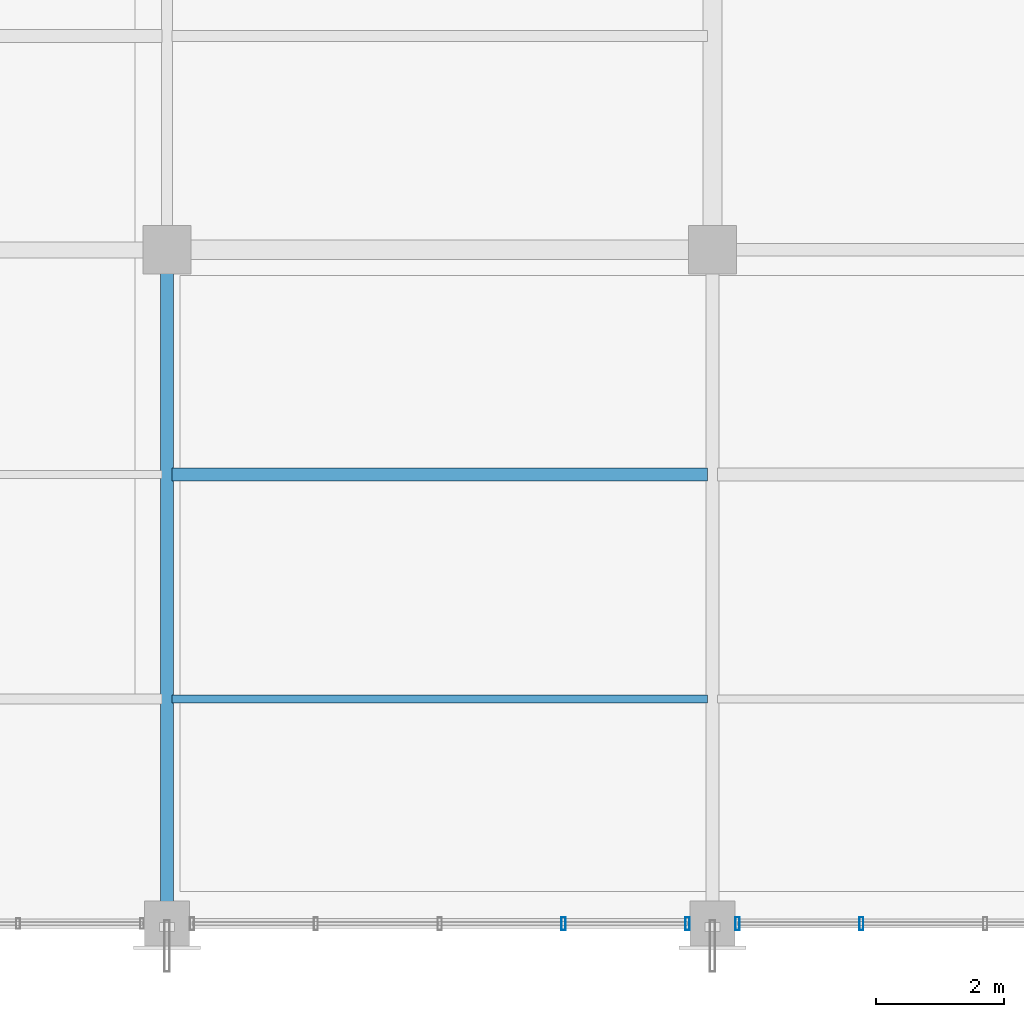
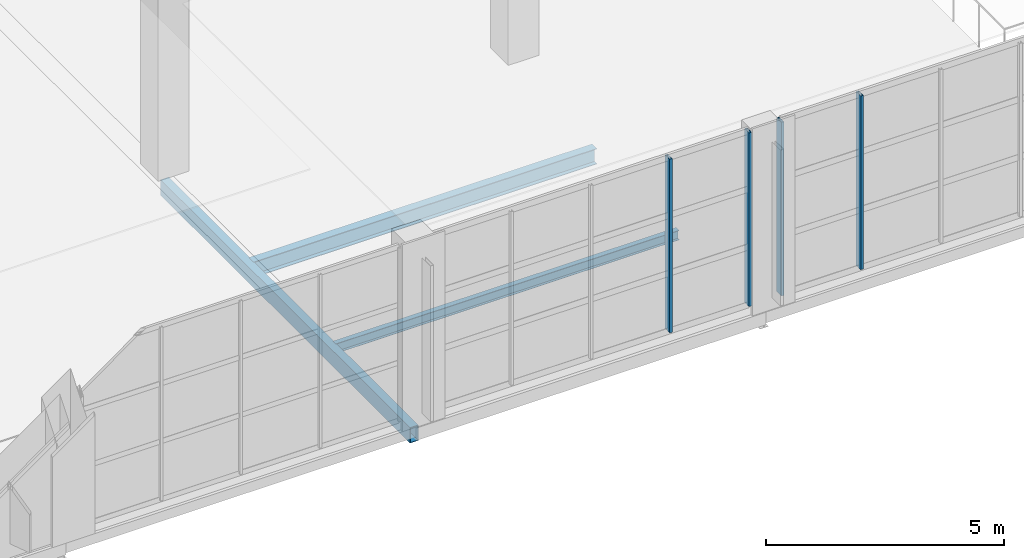
# One storey, part 11 of 101: 4 members, 3 beams, 2 elements without a shape of their own.
"""IFC4 building model written with IfcOpenShell, lengths in metres."""

from ifc_helpers import new_model, si_unit, direction, frame, origin, origin_2d, place, context, subcontext, project, spatial, hollow_rectangle, i_section, extrude, material, material_profile, profile_set, type_object, element, aggregate, save


model = new_model("IFC4")

# Units and contexts
model_context = context("Model", 3, precision=1e-05, world=origin(), true_north=direction((0.0, 1.0)))
body_context = subcontext(model_context, "Body", "Model", "MODEL_VIEW")
ifc_project = project(units=[si_unit("LENGTHUNIT", "METRE"), si_unit("AREAUNIT", "SQUARE_METRE"), si_unit("VOLUMEUNIT", "CUBIC_METRE"), si_unit("PLANEANGLEUNIT", "RADIAN"), si_unit("MASSUNIT", "GRAM", prefix="KILO")], contexts=[model_context])

# Site, building, storey
site_placement = place(None, origin())
site = spatial("IfcSite", under=ifc_project, at=site_placement, CompositionType="ELEMENT")
building_placement = place(site_placement, origin())
building = spatial("IfcBuilding", under=site, at=building_placement, Name="Solvikara Media Centre", CompositionType="ELEMENT")
storey_placement = place(building_placement, frame((0.0, 0.0, 10.199951171875)))
storey = spatial("IfcBuildingStorey", under=building, at=storey_placement, Name="L02", CompositionType="ELEMENT", Elevation=10.199951171875)

# Beams
ifc_material_1 = material(Name="Steel S355JR", Category="steel")
ifc_material_profile_1 = material_profile(ifc_material_1, i_section(OverallWidth=0.199951171875, OverallDepth=0.39990234375, WebThickness=0.008056640625, FlangeThickness=0.012939453125, at=origin_2d()), Name="WF 400x200x8x13")
ifc_profile_set_1 = profile_set([ifc_material_profile_1], Name="Steel S355JR")
beam_type_1 = type_object("IfcBeamType", Name="BM-21", PredefinedType="JOIST", material=ifc_profile_set_1)
beam_1_placement = place(storey_placement, frame((34.077880859375, 7.0, -0.48193359375), z_axis=(1.0, 0.0, 0.0), x_axis=(0.0, 1.0, 0.0)))
element("IfcBeam", 1, at=beam_1_placement, inside=storey, type_object=beam_type_1, Name="J-L02-1097", PredefinedType="JOIST", context=body_context, shape_type="SweptSolid", body=[
    extrude(i_section(OverallWidth=0.199951171875, OverallDepth=0.39990234375, WebThickness=0.008056640625, FlangeThickness=0.012939453125, at=origin_2d()), origin(), (0.0, 0.0, 1.0), 8.34423828125),
])
ifc_material_profile_2 = material_profile(ifc_material_1, hollow_rectangle(XDim=0.199951171875, YDim=0.39990234375, WallThickness=0.011962890625, at=origin_2d()), Name="RHS 400x200x12")
ifc_profile_set_2 = profile_set([ifc_material_profile_2], Name="Steel S355JR")
beam_type_2 = type_object("IfcBeamType", Name="BM-33", PredefinedType="SPANDREL", material=ifc_profile_set_2)
beam_2_placement = place(storey_placement, frame((34.0, 0.0, -0.48193359375), z_axis=(0.0, 1.0, 0.0), x_axis=(-1.0, 0.0, 0.0)))
element("IfcBeam", 2, at=beam_2_placement, inside=storey, type_object=beam_type_2, Name="B-L02-Y0945", PredefinedType="SPANDREL", context=body_context, shape_type="SweptSolid", body=[
    extrude(hollow_rectangle(XDim=0.199951171875, YDim=0.39990234375, WallThickness=0.011962890625, at=origin_2d()), origin(), (0.0, 0.0, 1.0), 10.5),
])
ifc_material_profile_3 = material_profile(ifc_material_1, i_section(OverallWidth=0.1240234375, OverallDepth=0.248046875, WebThickness=0.0048828125, FlangeThickness=0.008056640625, at=origin_2d()), Name="WF 248x124x5x8")
ifc_profile_set_3 = profile_set([ifc_material_profile_3], Name="Steel S355JR")
beam_type_3 = type_object("IfcBeamType", Name="BM-40", PredefinedType="JOIST", material=ifc_profile_set_3)
beam_3_placement = place(storey_placement, frame((34.077880859375, 3.5, -0.406005859375), z_axis=(1.0, 0.0, 0.0), x_axis=(0.0, 1.0, 0.0)))
element("IfcBeam", 3, at=beam_3_placement, inside=storey, type_object=beam_type_3, Name="J-L02-1096", PredefinedType="JOIST", context=body_context, shape_type="SweptSolid", body=[
    extrude(i_section(OverallWidth=0.1240234375, OverallDepth=0.248046875, WebThickness=0.0048828125, FlangeThickness=0.008056640625, at=origin_2d()), origin(), (0.0, 0.0, 1.0), 8.34423828125),
])

# Curtain wall, members
ifc_material_2 = material(Name="Anodised aluminium EN AW-6063", Category="aluminium")
curtain_wall_type = type_object("IfcCurtainWallType", Name="CW-04", PredefinedType="NOTDEFINED", material=ifc_material_2)
curtain_wall_1_placement = place(storey_placement, origin())
curtain_wall_1 = element("IfcCurtainWall", 4, at=curtain_wall_1_placement, inside=storey, type_object=curtain_wall_type, Name="CW-L02-V6S-1", PredefinedType="NOTDEFINED")
ifc_material_profile_4 = material_profile(ifc_material_2, hollow_rectangle(XDim=0.06494140625, YDim=0.199951171875, WallThickness=0.00390625, at=origin_2d()), Name="ALU-M 65x200x4")
ifc_profile_set_4 = profile_set([ifc_material_profile_4], Name="Anodised aluminium EN AW-6063")
member_type = type_object("IfcMemberType", Name="MF-02", PredefinedType="MULLION", material=ifc_profile_set_4)
member_1_placement = place(storey_placement, frame((40.179931640625, 0.0, 0.02001953125), z_axis=(0.0, 0.0, 1.0), x_axis=(1.0, 0.0, 0.0)))
member_1 = element("IfcMember", 5, at=member_1_placement, type_object=member_type, Name="CW-L02-V6S-1-M03", PredefinedType="MULLION", context=body_context, shape_type="SweptSolid", body=[
    extrude(hollow_rectangle(XDim=0.06494140625, YDim=0.199951171875, WallThickness=0.00390625, at=origin_2d()), origin(), (0.0, 0.0, 1.0), 4.4599609375),
])
member_2_placement = place(storey_placement, frame((42.110107421875, 0.0, 0.02001953125), z_axis=(0.0, 0.0, 1.0), x_axis=(1.0, 0.0, 0.0)))
member_2 = element("IfcMember", 6, at=member_2_placement, type_object=member_type, Name="CW-L02-V6S-1-M04", PredefinedType="MULLION", context=body_context, shape_type="SweptSolid", body=[
    extrude(hollow_rectangle(XDim=0.06494140625, YDim=0.199951171875, WallThickness=0.00390625, at=origin_2d()), origin(), (0.0, 0.0, 1.0), 4.4599609375),
])
aggregate(curtain_wall_1, [member_1, member_2])

curtain_wall_2_placement = place(storey_placement, origin())
curtain_wall_2 = element("IfcCurtainWall", 7, at=curtain_wall_2_placement, inside=storey, type_object=curtain_wall_type, Name="CW-L02-V6S-2", PredefinedType="NOTDEFINED")
member_3_placement = place(storey_placement, frame((42.889892578125, 0.0, 0.02001953125), z_axis=(0.0, 0.0, 1.0), x_axis=(1.0, 0.0, 0.0)))
member_3 = element("IfcMember", 8, at=member_3_placement, type_object=member_type, Name="CW-L02-V6S-2-M00", PredefinedType="MULLION", context=body_context, shape_type="SweptSolid", body=[
    extrude(hollow_rectangle(XDim=0.06494140625, YDim=0.199951171875, WallThickness=0.00390625, at=origin_2d()), origin(), (0.0, 0.0, 1.0), 4.4599609375),
])
member_4_placement = place(storey_placement, frame((44.820068359375, 0.0, 0.02001953125), z_axis=(0.0, 0.0, 1.0), x_axis=(1.0, 0.0, 0.0)))
member_4 = element("IfcMember", 9, at=member_4_placement, type_object=member_type, Name="CW-L02-V6S-2-M01", PredefinedType="MULLION", context=body_context, shape_type="SweptSolid", body=[
    extrude(hollow_rectangle(XDim=0.06494140625, YDim=0.199951171875, WallThickness=0.00390625, at=origin_2d()), origin(), (0.0, 0.0, 1.0), 4.4599609375),
])
aggregate(curtain_wall_2, [member_3, member_4])

save(model, "model.ifc")
